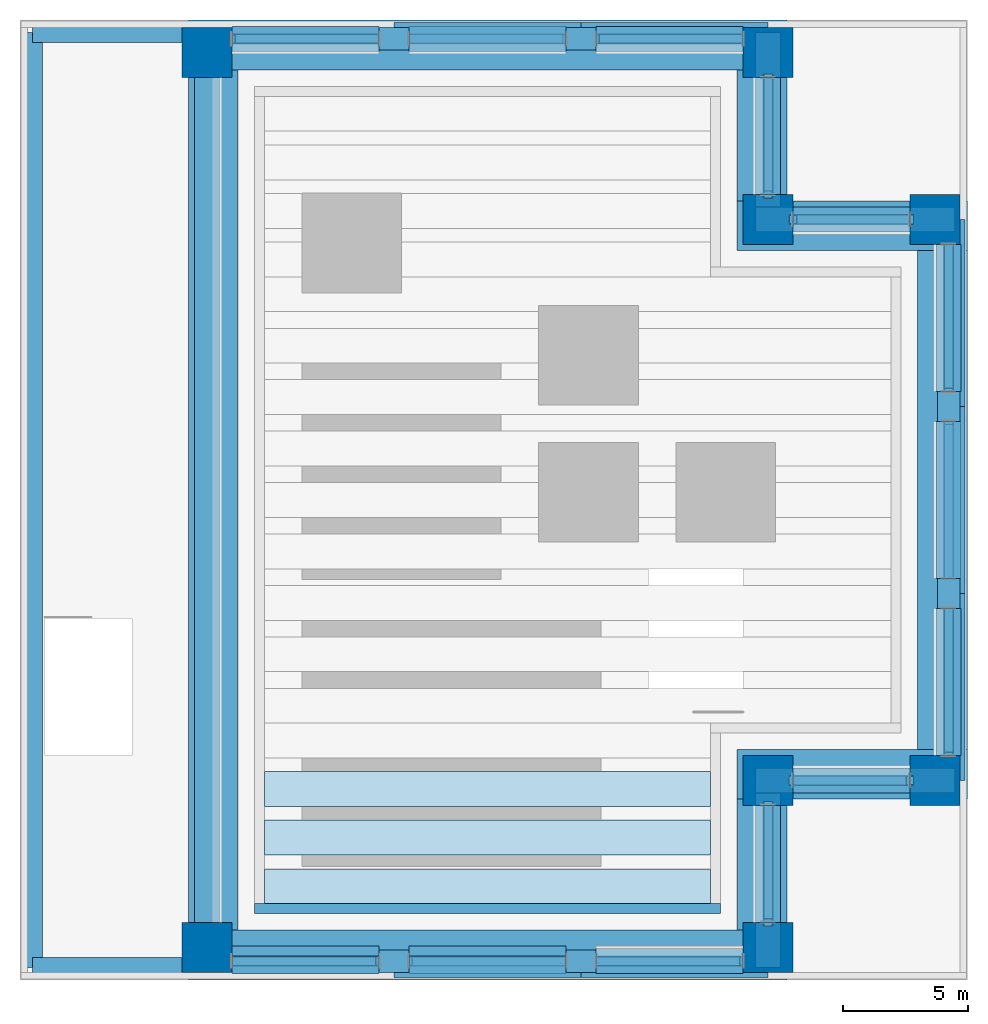
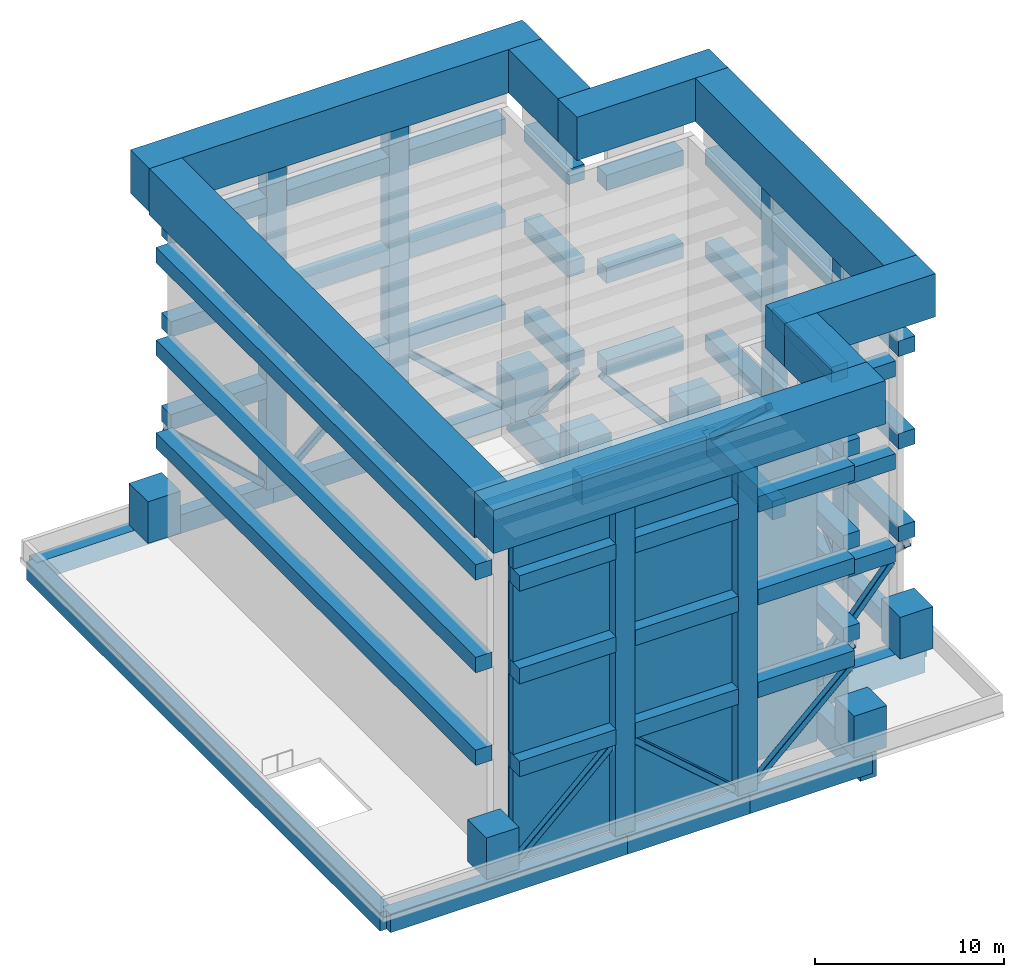
# One storey, part 1 of 4: 64 beams, 19 members, 12 plates, 8 columns.
"""IFC4 building model written with IfcOpenShell, lengths in metres."""

from ifc_helpers import new_model, si_unit, direction, frame, origin, origin_2d, place, context, subcontext, project, spatial, rectangle, hollow_rectangle, extrude, material, layer, layer_set, material_profile, profile_set, type_object, element, save


model = new_model("IFC4")

# Units and contexts
model_context = context("Model", 3, precision=1e-05, world=origin(), true_north=direction((0.0, 1.0)))
body_context = subcontext(model_context, "Body", "Model", "MODEL_VIEW")
ifc_project = project(units=[si_unit("LENGTHUNIT", "METRE"), si_unit("AREAUNIT", "SQUARE_METRE"), si_unit("VOLUMEUNIT", "CUBIC_METRE"), si_unit("PLANEANGLEUNIT", "RADIAN"), si_unit("MASSUNIT", "GRAM", prefix="KILO")], contexts=[model_context])

# Site, building, storey
site_placement = place(None, origin())
site = spatial("IfcSite", under=ifc_project, at=site_placement, CompositionType="ELEMENT")
building_placement = place(site_placement, origin())
building = spatial("IfcBuilding", under=site, at=building_placement, Name="Tamorin Gate", CompositionType="ELEMENT")
storey_placement = place(building_placement, frame((0.0, 0.0, 328.199951171875)))
storey = spatial("IfcBuildingStorey", under=building, at=storey_placement, Name="ROOF", CompositionType="ELEMENT", Elevation=328.199951171875)

# Columns
ifc_material_1 = material(Name="Concrete C50/60", Category="concrete")
ifc_material_profile_1 = material_profile(ifc_material_1, rectangle(XDim=2.0, YDim=2.0, at=origin_2d()), Name="RC 2000x2000")
ifc_profile_set_1 = profile_set([ifc_material_profile_1], Name="Concrete C50/60")
column_type = type_object("IfcColumnType", Name="RC column 2000x2000 C50/60", PredefinedType="COLUMN", material=ifc_profile_set_1)
for number, where, z_axis, x_axis, name in (
    (1, (37.5, 53.31005859375, 0.0), (0.0, 0.0, 1.0), (1.0, 0.0, 0.0), "CROWN FRAME corner pier 1"),
    (2, (60.0, 53.31005859375, 0.0), (0.0, 0.0, 1.0), (1.0, 0.0, 0.0), "CROWN FRAME corner pier 2"),
    (3, (60.0, 60.0, 0.0), (0.0, 0.0, 1.0), (1.0, 0.0, 0.0), "CROWN FRAME corner pier 3"),
    (4, (66.68994140625, 60.0, 0.0), (0.0, 0.0, 1.0), (1.0, 0.0, 0.0), "CROWN FRAME corner pier 4"),
    (5, (66.68994140625, 82.5, 0.0), (0.0, 0.0, 1.0), (1.0, 0.0, 0.0), "CROWN FRAME corner pier 5"),
    (6, (60.0, 82.5, 0.0), (0.0, 0.0, 1.0), (1.0, 0.0, 0.0), "CROWN FRAME corner pier 6"),
    (7, (60.0, 89.18994140625, 0.0), (0.0, 0.0, 1.0), (1.0, 0.0, 0.0), "CROWN FRAME corner pier 7"),
    (8, (37.5, 89.18994140625, 0.0), (0.0, 0.0, 1.0), (1.0, 0.0, 0.0), "CROWN FRAME corner pier 8"),
):
    element("IfcColumn", number, at=place(storey_placement, frame(where, z_axis=z_axis, x_axis=x_axis)), inside=storey, type_object=column_type, Name=name, PredefinedType="COLUMN", context=body_context, shape_type="SweptSolid", body=[
        extrude(rectangle(XDim=2.0, YDim=2.0, at=origin_2d()), origin(), (0.0, 0.0, 1.0), 2.699951171875),
    ])

# Beams
ifc_material_profile_2 = material_profile(ifc_material_1, rectangle(XDim=1.0, YDim=1.0, at=origin_2d()), Name="RC 1000x1000")
ifc_profile_set_2 = profile_set([ifc_material_profile_2], Name="Concrete C50/60")
beam_type_1 = type_object("IfcBeamType", Name="RC crown mid ring beam 1000x1000 C50/60", PredefinedType="BEAM", material=ifc_profile_set_2)
for number, where, z_axis, x_axis, name in (
    (9, (38.5, 52.760009765625, 6.5), (1.0, 0.0, 0.0), (0.0, 1.0, 0.0), "CROWN FRAME mid ring beam"),
    (10, (38.5, 52.760009765625, 12.5), (1.0, 0.0, 0.0), (0.0, 1.0, 0.0), "CROWN FRAME mid ring beam"),
    (11, (38.5, 52.760009765625, 18.5), (1.0, 0.0, 0.0), (0.0, 1.0, 0.0), "CROWN FRAME mid ring beam"),
):
    element("IfcBeam", number, at=place(storey_placement, frame(where, z_axis=z_axis, x_axis=x_axis)), inside=storey, type_object=beam_type_1, Name=name, PredefinedType="BEAM", context=body_context, shape_type="SweptSolid", body=[
        extrude(rectangle(XDim=1.0, YDim=1.0, at=origin_2d()), origin(), (0.0, 0.0, 1.0), 5.89990234375),
    ])
for number, where, z_axis, x_axis, name in (
    (12, (45.60009765625, 52.760009765625, 6.5), (1.0, 0.0, 0.0), (0.0, 1.0, 0.0), "CROWN FRAME mid ring beam"),
    (13, (45.60009765625, 52.760009765625, 12.5), (1.0, 0.0, 0.0), (0.0, 1.0, 0.0), "CROWN FRAME mid ring beam"),
    (14, (45.60009765625, 52.760009765625, 18.5), (1.0, 0.0, 0.0), (0.0, 1.0, 0.0), "CROWN FRAME mid ring beam"),
):
    element("IfcBeam", number, at=place(storey_placement, frame(where, z_axis=z_axis, x_axis=x_axis)), inside=storey, type_object=beam_type_1, Name=name, PredefinedType="BEAM", context=body_context, shape_type="SweptSolid", body=[
        extrude(rectangle(XDim=1.0, YDim=1.0, at=origin_2d()), origin(), (0.0, 0.0, 1.0), 6.2998046875),
    ])
for number, where, z_axis, x_axis, name in (
    (15, (53.10009765625, 52.760009765625, 6.5), (1.0, 0.0, 0.0), (0.0, 1.0, 0.0), "CROWN FRAME mid ring beam"),
    (16, (53.10009765625, 52.760009765625, 12.5), (1.0, 0.0, 0.0), (0.0, 1.0, 0.0), "CROWN FRAME mid ring beam"),
    (17, (53.10009765625, 52.760009765625, 18.5), (1.0, 0.0, 0.0), (0.0, 1.0, 0.0), "CROWN FRAME mid ring beam"),
):
    element("IfcBeam", number, at=place(storey_placement, frame(where, z_axis=z_axis, x_axis=x_axis)), inside=storey, type_object=beam_type_1, Name=name, PredefinedType="BEAM", context=body_context, shape_type="SweptSolid", body=[
        extrude(rectangle(XDim=1.0, YDim=1.0, at=origin_2d()), origin(), (0.0, 0.0, 1.0), 5.89990234375),
    ])
for number, where, z_axis, x_axis, name in (
    (18, (60.0, 54.31005859375, 6.5), (0.0, 1.0, 0.0), (-1.0, 0.0, 0.0), "CROWN FRAME mid ring beam"),
    (19, (60.0, 54.31005859375, 12.5), (0.0, 1.0, 0.0), (-1.0, 0.0, 0.0), "CROWN FRAME mid ring beam"),
    (20, (60.0, 54.31005859375, 18.5), (0.0, 1.0, 0.0), (-1.0, 0.0, 0.0), "CROWN FRAME mid ring beam"),
    (21, (61.0, 60.0, 6.5), (1.0, 0.0, 0.0), (0.0, 1.0, 0.0), "CROWN FRAME mid ring beam"),
    (22, (61.0, 60.0, 12.5), (1.0, 0.0, 0.0), (0.0, 1.0, 0.0), "CROWN FRAME mid ring beam"),
    (23, (61.0, 60.0, 18.5), (1.0, 0.0, 0.0), (0.0, 1.0, 0.0), "CROWN FRAME mid ring beam"),
):
    element("IfcBeam", number, at=place(storey_placement, frame(where, z_axis=z_axis, x_axis=x_axis)), inside=storey, type_object=beam_type_1, Name=name, PredefinedType="BEAM", context=body_context, shape_type="SweptSolid", body=[
        extrude(rectangle(XDim=1.0, YDim=1.0, at=origin_2d()), origin(), (0.0, 0.0, 1.0), 4.68994140625),
    ])
for number, where, z_axis, x_axis, name in (
    (24, (67.239990234375, 61.0, 6.5), (0.0, 1.0, 0.0), (-1.0, 0.0, 0.0), "CROWN FRAME mid ring beam"),
    (25, (67.239990234375, 61.0, 12.5), (0.0, 1.0, 0.0), (-1.0, 0.0, 0.0), "CROWN FRAME mid ring beam"),
    (26, (67.239990234375, 61.0, 18.5), (0.0, 1.0, 0.0), (-1.0, 0.0, 0.0), "CROWN FRAME mid ring beam"),
):
    element("IfcBeam", number, at=place(storey_placement, frame(where, z_axis=z_axis, x_axis=x_axis)), inside=storey, type_object=beam_type_1, Name=name, PredefinedType="BEAM", context=body_context, shape_type="SweptSolid", body=[
        extrude(rectangle(XDim=1.0, YDim=1.0, at=origin_2d()), origin(), (0.0, 0.0, 1.0), 5.89990234375),
    ])
for number, where, z_axis, x_axis, name in (
    (27, (67.239990234375, 68.10009765625, 6.5), (0.0, 1.0, 0.0), (-1.0, 0.0, 0.0), "CROWN FRAME mid ring beam"),
    (28, (67.239990234375, 68.10009765625, 12.5), (0.0, 1.0, 0.0), (-1.0, 0.0, 0.0), "CROWN FRAME mid ring beam"),
    (29, (67.239990234375, 68.10009765625, 18.5), (0.0, 1.0, 0.0), (-1.0, 0.0, 0.0), "CROWN FRAME mid ring beam"),
):
    element("IfcBeam", number, at=place(storey_placement, frame(where, z_axis=z_axis, x_axis=x_axis)), inside=storey, type_object=beam_type_1, Name=name, PredefinedType="BEAM", context=body_context, shape_type="SweptSolid", body=[
        extrude(rectangle(XDim=1.0, YDim=1.0, at=origin_2d()), origin(), (0.0, 0.0, 1.0), 6.2998046875),
    ])
for number, where, z_axis, x_axis, name in (
    (30, (67.239990234375, 75.60009765625, 6.5), (0.0, 1.0, 0.0), (-1.0, 0.0, 0.0), "CROWN FRAME mid ring beam"),
    (31, (67.239990234375, 75.60009765625, 12.5), (0.0, 1.0, 0.0), (-1.0, 0.0, 0.0), "CROWN FRAME mid ring beam"),
    (32, (67.239990234375, 75.60009765625, 18.5), (0.0, 1.0, 0.0), (-1.0, 0.0, 0.0), "CROWN FRAME mid ring beam"),
):
    element("IfcBeam", number, at=place(storey_placement, frame(where, z_axis=z_axis, x_axis=x_axis)), inside=storey, type_object=beam_type_1, Name=name, PredefinedType="BEAM", context=body_context, shape_type="SweptSolid", body=[
        extrude(rectangle(XDim=1.0, YDim=1.0, at=origin_2d()), origin(), (0.0, 0.0, 1.0), 5.89990234375),
    ])
for number, where, z_axis, x_axis, name in (
    (33, (65.68994140625, 82.5, 6.5), (-1.0, 0.0, 0.0), (0.0, -1.0, 0.0), "CROWN FRAME mid ring beam"),
    (34, (65.68994140625, 82.5, 12.5), (-1.0, 0.0, 0.0), (0.0, -1.0, 0.0), "CROWN FRAME mid ring beam"),
    (35, (65.68994140625, 82.5, 18.5), (-1.0, 0.0, 0.0), (0.0, -1.0, 0.0), "CROWN FRAME mid ring beam"),
    (36, (60.0, 83.5, 6.5), (0.0, 1.0, 0.0), (-1.0, 0.0, 0.0), "CROWN FRAME mid ring beam"),
    (37, (60.0, 83.5, 12.5), (0.0, 1.0, 0.0), (-1.0, 0.0, 0.0), "CROWN FRAME mid ring beam"),
    (38, (60.0, 83.5, 18.5), (0.0, 1.0, 0.0), (-1.0, 0.0, 0.0), "CROWN FRAME mid ring beam"),
):
    element("IfcBeam", number, at=place(storey_placement, frame(where, z_axis=z_axis, x_axis=x_axis)), inside=storey, type_object=beam_type_1, Name=name, PredefinedType="BEAM", context=body_context, shape_type="SweptSolid", body=[
        extrude(rectangle(XDim=1.0, YDim=1.0, at=origin_2d()), origin(), (0.0, 0.0, 1.0), 4.68994140625),
    ])
for number, where, z_axis, x_axis, name in (
    (39, (59.0, 89.739990234375, 6.5), (-1.0, 0.0, 0.0), (0.0, -1.0, 0.0), "CROWN FRAME mid ring beam"),
    (40, (59.0, 89.739990234375, 12.5), (-1.0, 0.0, 0.0), (0.0, -1.0, 0.0), "CROWN FRAME mid ring beam"),
    (41, (59.0, 89.739990234375, 18.5), (-1.0, 0.0, 0.0), (0.0, -1.0, 0.0), "CROWN FRAME mid ring beam"),
):
    element("IfcBeam", number, at=place(storey_placement, frame(where, z_axis=z_axis, x_axis=x_axis)), inside=storey, type_object=beam_type_1, Name=name, PredefinedType="BEAM", context=body_context, shape_type="SweptSolid", body=[
        extrude(rectangle(XDim=1.0, YDim=1.0, at=origin_2d()), origin(), (0.0, 0.0, 1.0), 5.89990234375),
    ])
for number, where, z_axis, x_axis, name in (
    (42, (51.89990234375, 89.739990234375, 6.5), (-1.0, 0.0, 0.0), (0.0, -1.0, 0.0), "CROWN FRAME mid ring beam"),
    (43, (51.89990234375, 89.739990234375, 12.5), (-1.0, 0.0, 0.0), (0.0, -1.0, 0.0), "CROWN FRAME mid ring beam"),
    (44, (51.89990234375, 89.739990234375, 18.5), (-1.0, 0.0, 0.0), (0.0, -1.0, 0.0), "CROWN FRAME mid ring beam"),
):
    element("IfcBeam", number, at=place(storey_placement, frame(where, z_axis=z_axis, x_axis=x_axis)), inside=storey, type_object=beam_type_1, Name=name, PredefinedType="BEAM", context=body_context, shape_type="SweptSolid", body=[
        extrude(rectangle(XDim=1.0, YDim=1.0, at=origin_2d()), origin(), (0.0, 0.0, 1.0), 6.2998046875),
    ])
for number, where, z_axis, x_axis, name in (
    (45, (44.39990234375, 89.739990234375, 6.5), (-1.0, 0.0, 0.0), (0.0, -1.0, 0.0), "CROWN FRAME mid ring beam"),
    (46, (44.39990234375, 89.739990234375, 12.5), (-1.0, 0.0, 0.0), (0.0, -1.0, 0.0), "CROWN FRAME mid ring beam"),
    (47, (44.39990234375, 89.739990234375, 18.5), (-1.0, 0.0, 0.0), (0.0, -1.0, 0.0), "CROWN FRAME mid ring beam"),
):
    element("IfcBeam", number, at=place(storey_placement, frame(where, z_axis=z_axis, x_axis=x_axis)), inside=storey, type_object=beam_type_1, Name=name, PredefinedType="BEAM", context=body_context, shape_type="SweptSolid", body=[
        extrude(rectangle(XDim=1.0, YDim=1.0, at=origin_2d()), origin(), (0.0, 0.0, 1.0), 5.89990234375),
    ])
for number, where, z_axis, x_axis, name in (
    (48, (37.5, 88.18994140625, 6.5), (0.0, -1.0, 0.0), (1.0, 0.0, 0.0), "CROWN FRAME mid ring beam"),
    (49, (37.5, 88.18994140625, 12.5), (0.0, -1.0, 0.0), (1.0, 0.0, 0.0), "CROWN FRAME mid ring beam"),
    (50, (37.5, 88.18994140625, 18.5), (0.0, -1.0, 0.0), (1.0, 0.0, 0.0), "CROWN FRAME mid ring beam"),
):
    element("IfcBeam", number, at=place(storey_placement, frame(where, z_axis=z_axis, x_axis=x_axis)), inside=storey, type_object=beam_type_1, Name=name, PredefinedType="BEAM", context=body_context, shape_type="SweptSolid", body=[
        extrude(rectangle(XDim=1.0, YDim=1.0, at=origin_2d()), origin(), (0.0, 0.0, 1.0), 33.8798828125),
    ])

# Members
ifc_material_profile_3 = material_profile(ifc_material_1, rectangle(XDim=1.199951171875, YDim=0.89990234375, at=origin_2d()), Name="RC 1200x900")
ifc_profile_set_3 = profile_set([ifc_material_profile_3], Name="Concrete C50/60")
member_type_1 = type_object("IfcMemberType", Name="RC crown pier 1200x900 C50/60", PredefinedType="POST", material=ifc_profile_set_3)
for number, where, z_axis, x_axis, name in (
    (51, (45.0, 52.760009765625, 0.0), (0.0, 0.0, 1.0), (1.0, 0.0, 0.0), "CROWN FRAME pier 9"),
    (52, (52.5, 52.760009765625, 0.0), (0.0, 0.0, 1.0), (1.0, 0.0, 0.0), "CROWN FRAME pier 10"),
    (53, (67.239990234375, 67.5, 0.0), (0.0, 0.0, 1.0), (0.0, 1.0, 0.0), "CROWN FRAME pier 11"),
    (54, (67.239990234375, 75.0, 0.0), (0.0, 0.0, 1.0), (0.0, 1.0, 0.0), "CROWN FRAME pier 12"),
    (55, (45.0, 89.739990234375, 0.0), (0.0, 0.0, 1.0), (1.0, 0.0, 0.0), "CROWN FRAME pier 13"),
    (56, (52.5, 89.739990234375, 0.0), (0.0, 0.0, 1.0), (1.0, 0.0, 0.0), "CROWN FRAME pier 14"),
):
    element("IfcMember", number, at=place(storey_placement, frame(where, z_axis=z_axis, x_axis=x_axis)), inside=storey, type_object=member_type_1, Name=name, PredefinedType="POST", context=body_context, shape_type="SweptSolid", body=[
        extrude(rectangle(XDim=1.199951171875, YDim=0.89990234375, at=origin_2d()), origin(), (0.0, 0.0, 1.0), 21.199951171875),
    ])

# Beams
ifc_material_profile_4 = material_profile(ifc_material_1, rectangle(XDim=0.800048828125, YDim=1.199951171875, at=origin_2d()), Name="RC 800x1200")
ifc_profile_set_4 = profile_set([ifc_material_profile_4], Name="Concrete C50/60")
beam_type_2 = type_object("IfcBeamType", Name="RC crown ring beam 800x1200 C50/60", PredefinedType="BEAM", material=ifc_profile_set_4)
beam_1_placement = place(storey_placement, frame((30.5, 52.5, -0.599853515625), z_axis=(1.0, 0.0, 0.0), x_axis=(0.0, 1.0, 0.0)))
element("IfcBeam", 57, at=beam_1_placement, inside=storey, type_object=beam_type_2, Name="Roof edge ring beam", PredefinedType="BEAM", context=body_context, shape_type="SweptSolid", body=[
    extrude(rectangle(XDim=0.800048828125, YDim=1.199951171875, at=origin_2d()), origin(), (0.0, 0.0, 1.0), 14.5),
])
for number, where, z_axis, x_axis, name in (
    (58, (45.0, 52.5, -0.599853515625), (1.0, 0.0, 0.0), (0.0, 1.0, 0.0), "Roof edge ring beam"),
    (59, (52.5, 52.5, -0.599853515625), (1.0, 0.0, 0.0), (0.0, 1.0, 0.0), "Roof edge ring beam"),
    (60, (67.5, 60.0, -0.599853515625), (0.0, 1.0, 0.0), (-1.0, 0.0, 0.0), "Roof edge ring beam"),
    (61, (67.5, 67.5, -0.599853515625), (0.0, 1.0, 0.0), (-1.0, 0.0, 0.0), "Roof edge ring beam"),
    (62, (67.5, 75.0, -0.599853515625), (0.0, 1.0, 0.0), (-1.0, 0.0, 0.0), "Roof edge ring beam"),
    (63, (60.0, 90.0, -0.599853515625), (-1.0, 0.0, 0.0), (0.0, -1.0, 0.0), "Roof edge ring beam"),
    (64, (52.5, 90.0, -0.599853515625), (-1.0, 0.0, 0.0), (0.0, -1.0, 0.0), "Roof edge ring beam"),
):
    element("IfcBeam", number, at=place(storey_placement, frame(where, z_axis=z_axis, x_axis=x_axis)), inside=storey, type_object=beam_type_2, Name=name, PredefinedType="BEAM", context=body_context, shape_type="SweptSolid", body=[
        extrude(rectangle(XDim=0.800048828125, YDim=1.199951171875, at=origin_2d()), origin(), (0.0, 0.0, 1.0), 7.5),
    ])
beam_2_placement = place(storey_placement, frame((45.0, 90.0, -0.599853515625), z_axis=(-1.0, 0.0, 0.0), x_axis=(0.0, -1.0, 0.0)))
element("IfcBeam", 65, at=beam_2_placement, inside=storey, type_object=beam_type_2, Name="Roof edge ring beam", PredefinedType="BEAM", context=body_context, shape_type="SweptSolid", body=[
    extrude(rectangle(XDim=0.800048828125, YDim=1.199951171875, at=origin_2d()), origin(), (0.0, 0.0, 1.0), 14.5),
])
beam_3_placement = place(storey_placement, frame((30.5, 90.0, -0.599853515625), z_axis=(0.0, -1.0, 0.0), x_axis=(1.0, 0.0, 0.0)))
element("IfcBeam", 66, at=beam_3_placement, inside=storey, type_object=beam_type_2, Name="Roof edge ring beam", PredefinedType="BEAM", context=body_context, shape_type="SweptSolid", body=[
    extrude(rectangle(XDim=0.800048828125, YDim=1.199951171875, at=origin_2d()), origin(), (0.0, 0.0, 1.0), 37.5),
])
ifc_material_profile_5 = material_profile(ifc_material_1, rectangle(XDim=2.0, YDim=2.800048828125, at=origin_2d()), Name="RC 2000x2800")
ifc_profile_set_5 = profile_set([ifc_material_profile_5], Name="Concrete C50/60")
beam_type_3 = type_object("IfcBeamType", Name="RC crown top ring beam 2000x2800 C50/60", PredefinedType="BEAM", material=ifc_profile_set_5)
beam_4_placement = place(storey_placement, frame((36.75, 53.010009765625, 22.60009765625), z_axis=(1.0, 0.0, 0.0), x_axis=(0.0, 1.0, 0.0)))
element("IfcBeam", 67, at=beam_4_placement, inside=storey, type_object=beam_type_3, Name="CROWN FRAME top ring beam", PredefinedType="BEAM", context=body_context, shape_type="SweptSolid", body=[
    extrude(rectangle(XDim=2.0, YDim=2.800048828125, at=origin_2d()), origin(), (0.0, 0.0, 1.0), 24.0),
])
beam_5_placement = place(storey_placement, frame((59.75, 54.010009765625, 22.60009765625), z_axis=(0.0, 1.0, 0.0), x_axis=(-1.0, 0.0, 0.0)))
element("IfcBeam", 68, at=beam_5_placement, inside=storey, type_object=beam_type_3, Name="CROWN FRAME top ring beam", PredefinedType="BEAM", context=body_context, shape_type="SweptSolid", body=[
    extrude(rectangle(XDim=2.0, YDim=2.800048828125, at=origin_2d()), origin(), (0.0, 0.0, 1.0), 5.239990234375),
])
beam_6_placement = place(storey_placement, frame((58.75, 60.25, 22.60009765625), z_axis=(1.0, 0.0, 0.0), x_axis=(0.0, 1.0, 0.0)))
element("IfcBeam", 69, at=beam_6_placement, inside=storey, type_object=beam_type_3, Name="CROWN FRAME top ring beam", PredefinedType="BEAM", context=body_context, shape_type="SweptSolid", body=[
    extrude(rectangle(XDim=2.0, YDim=2.800048828125, at=origin_2d()), origin(), (0.0, 0.0, 1.0), 9.239990234375),
])
beam_7_placement = place(storey_placement, frame((66.989990234375, 61.25, 22.60009765625), z_axis=(0.0, 1.0, 0.0), x_axis=(-1.0, 0.0, 0.0)))
element("IfcBeam", 70, at=beam_7_placement, inside=storey, type_object=beam_type_3, Name="CROWN FRAME top ring beam", PredefinedType="BEAM", context=body_context, shape_type="SweptSolid", body=[
    extrude(rectangle(XDim=2.0, YDim=2.800048828125, at=origin_2d()), origin(), (0.0, 0.0, 1.0), 20.0),
])
beam_8_placement = place(storey_placement, frame((67.989990234375, 82.25, 22.60009765625), z_axis=(-1.0, 0.0, 0.0), x_axis=(0.0, -1.0, 0.0)))
element("IfcBeam", 71, at=beam_8_placement, inside=storey, type_object=beam_type_3, Name="CROWN FRAME top ring beam", PredefinedType="BEAM", context=body_context, shape_type="SweptSolid", body=[
    extrude(rectangle(XDim=2.0, YDim=2.800048828125, at=origin_2d()), origin(), (0.0, 0.0, 1.0), 9.239990234375),
])
beam_9_placement = place(storey_placement, frame((59.75, 83.25, 22.60009765625), z_axis=(0.0, 1.0, 0.0), x_axis=(-1.0, 0.0, 0.0)))
element("IfcBeam", 72, at=beam_9_placement, inside=storey, type_object=beam_type_3, Name="CROWN FRAME top ring beam", PredefinedType="BEAM", context=body_context, shape_type="SweptSolid", body=[
    extrude(rectangle(XDim=2.0, YDim=2.800048828125, at=origin_2d()), origin(), (0.0, 0.0, 1.0), 5.239990234375),
])
beam_10_placement = place(storey_placement, frame((60.75, 89.489990234375, 22.60009765625), z_axis=(-1.0, 0.0, 0.0), x_axis=(0.0, -1.0, 0.0)))
element("IfcBeam", 73, at=beam_10_placement, inside=storey, type_object=beam_type_3, Name="CROWN FRAME top ring beam", PredefinedType="BEAM", context=body_context, shape_type="SweptSolid", body=[
    extrude(rectangle(XDim=2.0, YDim=2.800048828125, at=origin_2d()), origin(), (0.0, 0.0, 1.0), 24.0),
])
ifc_material_profile_6 = material_profile(ifc_material_1, rectangle(XDim=1.0, YDim=1.800048828125, at=origin_2d()), Name="RC 1000x1800")
ifc_profile_set_6 = profile_set([ifc_material_profile_6], Name="Concrete C50/60")
beam_type_4 = type_object("IfcBeamType", Name="RC crown transfer beam 1000x1800 C50/60", PredefinedType="BEAM", material=ifc_profile_set_6)
beam_11_placement = place(storey_placement, frame((60.0, 52.5, -0.89990234375), z_axis=(0.0, 1.0, 0.0), x_axis=(-1.0, 0.0, 0.0)))
element("IfcBeam", 74, at=beam_11_placement, inside=storey, type_object=beam_type_4, Name="Crown transfer beam", PredefinedType="BEAM", context=body_context, shape_type="SweptSolid", body=[
    extrude(rectangle(XDim=1.0, YDim=1.800048828125, at=origin_2d()), origin(), (0.0, 0.0, 1.0), 7.0),
])
beam_12_placement = place(storey_placement, frame((59.5, 60.0, -0.89990234375), z_axis=(1.0, 0.0, 0.0), x_axis=(0.0, 1.0, 0.0)))
element("IfcBeam", 75, at=beam_12_placement, inside=storey, type_object=beam_type_4, Name="Crown transfer beam", PredefinedType="BEAM", context=body_context, shape_type="SweptSolid", body=[
    extrude(rectangle(XDim=1.0, YDim=1.800048828125, at=origin_2d()), origin(), (0.0, 0.0, 1.0), 8.0),
])
beam_13_placement = place(storey_placement, frame((60.0, 90.0, -0.89990234375), z_axis=(0.0, -1.0, 0.0), x_axis=(1.0, 0.0, 0.0)))
element("IfcBeam", 76, at=beam_13_placement, inside=storey, type_object=beam_type_4, Name="Crown transfer beam", PredefinedType="BEAM", context=body_context, shape_type="SweptSolid", body=[
    extrude(rectangle(XDim=1.0, YDim=1.800048828125, at=origin_2d()), origin(), (0.0, 0.0, 1.0), 7.0),
])
beam_14_placement = place(storey_placement, frame((59.5, 82.5, -0.89990234375), z_axis=(1.0, 0.0, 0.0), x_axis=(0.0, 1.0, 0.0)))
element("IfcBeam", 77, at=beam_14_placement, inside=storey, type_object=beam_type_4, Name="Crown transfer beam", PredefinedType="BEAM", context=body_context, shape_type="SweptSolid", body=[
    extrude(rectangle(XDim=1.0, YDim=1.800048828125, at=origin_2d()), origin(), (0.0, 0.0, 1.0), 8.0),
])
ifc_material_profile_7 = material_profile(ifc_material_1, rectangle(XDim=2.0, YDim=3.0, at=origin_2d()), Name="RC 2000x3000")
ifc_profile_set_7 = profile_set([ifc_material_profile_7], Name="Concrete C50/60")
beam_type_5 = type_object("IfcBeamType", Name="RC crown west top ring beam 2000x3000 C50/60", PredefinedType="BEAM", material=ifc_profile_set_7)
beam_15_placement = place(storey_placement, frame((37.75, 88.489990234375, 22.5), z_axis=(0.0, -1.0, 0.0), x_axis=(1.0, 0.0, 0.0)))
element("IfcBeam", 78, at=beam_15_placement, inside=storey, type_object=beam_type_5, Name="CROWN FRAME top ring beam", PredefinedType="BEAM", context=body_context, shape_type="SweptSolid", body=[
    extrude(rectangle(XDim=2.0, YDim=3.0, at=origin_2d()), origin(), (0.0, 0.0, 1.0), 34.47998046875),
])

# Members
ifc_material_2 = material(Name="Steel S355J2H", Category="steel")
ifc_material_profile_8 = material_profile(ifc_material_2, hollow_rectangle(XDim=0.39990234375, YDim=0.39990234375, WallThickness=0.02001953125, InnerFilletRadius=0.030029296875, OuterFilletRadius=0.050048828125, at=origin_2d()), Name="RHS 400x400x20")
ifc_profile_set_8 = profile_set([ifc_material_profile_8], Name="Steel S355J2H")
member_type_2 = type_object("IfcMemberType", Name="Steel crown brace RHS 400x400x20", PredefinedType="BRACE", material=ifc_profile_set_8)
member_1_placement = place(storey_placement, frame((38.5, 52.760009765625, 0.25), z_axis=(0.73146178223, 0.0, 0.681882439381), x_axis=(0.0, 1.0, 0.0)))
element("IfcMember", 79, at=member_1_placement, inside=storey, type_object=member_type_2, Name="CROWN FRAME brace", PredefinedType="BRACE", context=body_context, shape_type="SweptSolid", body=[
    extrude(hollow_rectangle(XDim=0.39990234375, YDim=0.39990234375, WallThickness=0.02001953125, InnerFilletRadius=0.030029296875, OuterFilletRadius=0.050048828125, at=origin_2d()), origin(), (0.0, 0.0, 1.0), 8.06591796875),
])
member_2_placement = place(storey_placement, frame((51.89990234375, 52.760009765625, 0.25), z_axis=(-0.753306841884, 0.0, 0.657669219267), x_axis=(0.0, -1.0, 0.0)))
element("IfcMember", 80, at=member_2_placement, inside=storey, type_object=member_type_2, Name="CROWN FRAME brace", PredefinedType="BRACE", context=body_context, shape_type="SweptSolid", body=[
    extrude(hollow_rectangle(XDim=0.39990234375, YDim=0.39990234375, WallThickness=0.02001953125, InnerFilletRadius=0.030029296875, OuterFilletRadius=0.050048828125, at=origin_2d()), origin(), (0.0, 0.0, 1.0), 8.36279296875),
])
member_3_placement = place(storey_placement, frame((53.10009765625, 52.760009765625, 0.25), z_axis=(0.73146178223, 0.0, 0.681882439381), x_axis=(0.0, 1.0, 0.0)))
element("IfcMember", 81, at=member_3_placement, inside=storey, type_object=member_type_2, Name="CROWN FRAME brace", PredefinedType="BRACE", context=body_context, shape_type="SweptSolid", body=[
    extrude(hollow_rectangle(XDim=0.39990234375, YDim=0.39990234375, WallThickness=0.02001953125, InnerFilletRadius=0.030029296875, OuterFilletRadius=0.050048828125, at=origin_2d()), origin(), (0.0, 0.0, 1.0), 8.06591796875),
])
for number, where, z_axis, x_axis, name in (
    (82, (60.0, 59.0, 0.25), (0.0, -0.648847689575, 0.760918310815), (1.0, 0.0, 0.0), "CROWN FRAME brace"),
    (83, (61.0, 60.0, 0.25), (0.648847689575, 0.0, 0.760918310815), (0.0, 1.0, 0.0), "CROWN FRAME brace"),
):
    element("IfcMember", number, at=place(storey_placement, frame(where, z_axis=z_axis, x_axis=x_axis)), inside=storey, type_object=member_type_2, Name=name, PredefinedType="BRACE", context=body_context, shape_type="SweptSolid", body=[
        extrude(hollow_rectangle(XDim=0.39990234375, YDim=0.39990234375, WallThickness=0.02001953125, InnerFilletRadius=0.030029296875, OuterFilletRadius=0.050048828125, at=origin_2d()), origin(), (0.0, 0.0, 1.0), 7.22802734375),
    ])
member_4_placement = place(storey_placement, frame((67.239990234375, 66.89990234375, 0.25), z_axis=(0.0, -0.73146178223, 0.681882439381), x_axis=(1.0, 0.0, 0.0)))
element("IfcMember", 84, at=member_4_placement, inside=storey, type_object=member_type_2, Name="CROWN FRAME brace", PredefinedType="BRACE", context=body_context, shape_type="SweptSolid", body=[
    extrude(hollow_rectangle(XDim=0.39990234375, YDim=0.39990234375, WallThickness=0.02001953125, InnerFilletRadius=0.030029296875, OuterFilletRadius=0.050048828125, at=origin_2d()), origin(), (0.0, 0.0, 1.0), 8.06591796875),
])
member_5_placement = place(storey_placement, frame((67.239990234375, 68.10009765625, 0.25), z_axis=(0.0, 0.753306841884, 0.657669219267), x_axis=(-1.0, 0.0, 0.0)))
element("IfcMember", 85, at=member_5_placement, inside=storey, type_object=member_type_2, Name="CROWN FRAME brace", PredefinedType="BRACE", context=body_context, shape_type="SweptSolid", body=[
    extrude(hollow_rectangle(XDim=0.39990234375, YDim=0.39990234375, WallThickness=0.02001953125, InnerFilletRadius=0.030029296875, OuterFilletRadius=0.050048828125, at=origin_2d()), origin(), (0.0, 0.0, 1.0), 8.36279296875),
])
member_6_placement = place(storey_placement, frame((67.239990234375, 81.5, 0.25), z_axis=(0.0, -0.73146178223, 0.681882439381), x_axis=(1.0, 0.0, 0.0)))
element("IfcMember", 86, at=member_6_placement, inside=storey, type_object=member_type_2, Name="CROWN FRAME brace", PredefinedType="BRACE", context=body_context, shape_type="SweptSolid", body=[
    extrude(hollow_rectangle(XDim=0.39990234375, YDim=0.39990234375, WallThickness=0.02001953125, InnerFilletRadius=0.030029296875, OuterFilletRadius=0.050048828125, at=origin_2d()), origin(), (0.0, 0.0, 1.0), 8.06591796875),
])
for number, where, z_axis, x_axis, name in (
    (87, (65.68994140625, 82.5, 0.25), (-0.648847689575, 0.0, 0.760918310815), (0.0, -1.0, 0.0), "CROWN FRAME brace"),
    (88, (60.0, 88.18994140625, 0.25), (0.0, -0.648847689575, 0.760918310815), (1.0, 0.0, 0.0), "CROWN FRAME brace"),
):
    element("IfcMember", number, at=place(storey_placement, frame(where, z_axis=z_axis, x_axis=x_axis)), inside=storey, type_object=member_type_2, Name=name, PredefinedType="BRACE", context=body_context, shape_type="SweptSolid", body=[
        extrude(hollow_rectangle(XDim=0.39990234375, YDim=0.39990234375, WallThickness=0.02001953125, InnerFilletRadius=0.030029296875, OuterFilletRadius=0.050048828125, at=origin_2d()), origin(), (0.0, 0.0, 1.0), 7.22802734375),
    ])
member_7_placement = place(storey_placement, frame((59.0, 89.739990234375, 0.25), z_axis=(-0.73146178223, 0.0, 0.681882439381), x_axis=(0.0, -1.0, 0.0)))
element("IfcMember", 89, at=member_7_placement, inside=storey, type_object=member_type_2, Name="CROWN FRAME brace", PredefinedType="BRACE", context=body_context, shape_type="SweptSolid", body=[
    extrude(hollow_rectangle(XDim=0.39990234375, YDim=0.39990234375, WallThickness=0.02001953125, InnerFilletRadius=0.030029296875, OuterFilletRadius=0.050048828125, at=origin_2d()), origin(), (0.0, 0.0, 1.0), 8.06591796875),
])
member_8_placement = place(storey_placement, frame((45.60009765625, 89.739990234375, 0.25), z_axis=(0.753306841884, 0.0, 0.657669219267), x_axis=(0.0, 1.0, 0.0)))
element("IfcMember", 90, at=member_8_placement, inside=storey, type_object=member_type_2, Name="CROWN FRAME brace", PredefinedType="BRACE", context=body_context, shape_type="SweptSolid", body=[
    extrude(hollow_rectangle(XDim=0.39990234375, YDim=0.39990234375, WallThickness=0.02001953125, InnerFilletRadius=0.030029296875, OuterFilletRadius=0.050048828125, at=origin_2d()), origin(), (0.0, 0.0, 1.0), 8.36279296875),
])
member_9_placement = place(storey_placement, frame((44.39990234375, 89.739990234375, 0.25), z_axis=(-0.73146178223, 0.0, 0.681882439381), x_axis=(0.0, -1.0, 0.0)))
element("IfcMember", 91, at=member_9_placement, inside=storey, type_object=member_type_2, Name="CROWN FRAME brace", PredefinedType="BRACE", context=body_context, shape_type="SweptSolid", body=[
    extrude(hollow_rectangle(XDim=0.39990234375, YDim=0.39990234375, WallThickness=0.02001953125, InnerFilletRadius=0.030029296875, OuterFilletRadius=0.050048828125, at=origin_2d()), origin(), (0.0, 0.0, 1.0), 8.06591796875),
])

# Plates
ifc_material_3 = material(Name="Perforated pale aluminium sheet", Category="aluminium")
ifc_layer_1 = layer(ifc_material_3, 0.1201171875)
ifc_layer_set_1 = layer_set([ifc_layer_1], Name="Crown grille 120")
plate_type_1 = type_object("IfcPlateType", Name="Crown grille 120", PredefinedType="SHEET", material=ifc_layer_set_1)
for number, where, z_axis, x_axis, name in (
    (92, (48.75, 55.760009765625, 19.139892578125), (0.0, 0.0, 1.0), (1.0, 0.0, 0.0), "CROWN GRILLE"),
    (93, (48.75, 57.706787109375, 19.139892578125), (0.0, 0.0, 1.0), (1.0, 0.0, 0.0), "CROWN GRILLE"),
    (94, (48.75, 59.6533203125, 19.139892578125), (0.0, 0.0, 1.0), (1.0, 0.0, 0.0), "CROWN GRILLE"),
):
    element("IfcPlate", number, at=place(storey_placement, frame(where, z_axis=z_axis, x_axis=x_axis)), inside=storey, type_object=plate_type_1, Name=name, PredefinedType="SHEET", context=body_context, shape_type="SweptSolid", body=[
        extrude(rectangle(XDim=17.89990234375, YDim=1.39990234375, at=origin_2d()), origin(), (0.0, 0.0, 1.0), 0.1201171875),
    ])
ifc_layer_2 = layer(ifc_material_3, 0.39990234375)
ifc_layer_set_2 = layer_set([ifc_layer_2], Name="Crown louvre 400")
plate_type_2 = type_object("IfcPlateType", Name="Crown louvre 400", PredefinedType="SHEET", material=ifc_layer_set_2)
plate_1_placement = place(storey_placement, frame((41.449951171875, 53.159912109375, 0.0), z_axis=(0.0, 0.0, 1.0), x_axis=(1.0, 0.0, 0.0)))
element("IfcPlate", 95, at=plate_1_placement, inside=storey, type_object=plate_type_2, Name="Crown LOUVRE", PredefinedType="SHEET", context=body_context, shape_type="SweptSolid", body=[
    extrude(rectangle(XDim=5.89990234375, YDim=0.39990234375, at=origin_2d()), origin(), (0.0, 0.0, 1.0), 6.0),
])
for number, where, z_axis, x_axis, name in (
    (96, (41.449951171875, 53.159912109375, 7.0), (0.0, 0.0, 1.0), (1.0, 0.0, 0.0), "Crown LOUVRE"),
    (97, (41.449951171875, 53.159912109375, 13.0), (0.0, 0.0, 1.0), (1.0, 0.0, 0.0), "Crown LOUVRE"),
):
    element("IfcPlate", number, at=place(storey_placement, frame(where, z_axis=z_axis, x_axis=x_axis)), inside=storey, type_object=plate_type_2, Name=name, PredefinedType="SHEET", context=body_context, shape_type="SweptSolid", body=[
        extrude(rectangle(XDim=5.89990234375, YDim=0.39990234375, at=origin_2d()), origin(), (0.0, 0.0, 1.0), 5.0),
    ])
plate_2_placement = place(storey_placement, frame((41.449951171875, 53.159912109375, 19.0), z_axis=(0.0, 0.0, 1.0), x_axis=(1.0, 0.0, 0.0)))
element("IfcPlate", 98, at=plate_2_placement, inside=storey, type_object=plate_type_2, Name="Crown LOUVRE", PredefinedType="SHEET", context=body_context, shape_type="SweptSolid", body=[
    extrude(rectangle(XDim=5.89990234375, YDim=0.39990234375, at=origin_2d()), origin(), (0.0, 0.0, 1.0), 2.199951171875),
])
plate_3_placement = place(storey_placement, frame((48.75, 53.159912109375, 0.0), z_axis=(0.0, 0.0, 1.0), x_axis=(1.0, 0.0, 0.0)))
element("IfcPlate", 99, at=plate_3_placement, inside=storey, type_object=plate_type_2, Name="Crown LOUVRE", PredefinedType="SHEET", context=body_context, shape_type="SweptSolid", body=[
    extrude(rectangle(XDim=6.300048828125, YDim=0.39990234375, at=origin_2d()), origin(), (0.0, 0.0, 1.0), 6.0),
])
for number, where, z_axis, x_axis, name in (
    (100, (48.75, 53.159912109375, 7.0), (0.0, 0.0, 1.0), (1.0, 0.0, 0.0), "Crown LOUVRE"),
    (101, (48.75, 53.159912109375, 13.0), (0.0, 0.0, 1.0), (1.0, 0.0, 0.0), "Crown LOUVRE"),
):
    element("IfcPlate", number, at=place(storey_placement, frame(where, z_axis=z_axis, x_axis=x_axis)), inside=storey, type_object=plate_type_2, Name=name, PredefinedType="SHEET", context=body_context, shape_type="SweptSolid", body=[
        extrude(rectangle(XDim=6.300048828125, YDim=0.39990234375, at=origin_2d()), origin(), (0.0, 0.0, 1.0), 5.0),
    ])
plate_4_placement = place(storey_placement, frame((48.75, 53.159912109375, 19.0), z_axis=(0.0, 0.0, 1.0), x_axis=(1.0, 0.0, 0.0)))
element("IfcPlate", 102, at=plate_4_placement, inside=storey, type_object=plate_type_2, Name="Crown LOUVRE", PredefinedType="SHEET", context=body_context, shape_type="SweptSolid", body=[
    extrude(rectangle(XDim=6.300048828125, YDim=0.39990234375, at=origin_2d()), origin(), (0.0, 0.0, 1.0), 2.199951171875),
])
plate_5_placement = place(storey_placement, frame((48.75, 54.860107421875, 0.0), z_axis=(0.0, 0.0, 1.0), x_axis=(1.0, 0.0, 0.0)))
element("IfcPlate", 103, at=plate_5_placement, inside=storey, type_object=plate_type_2, Name="Crown LOUVRE", PredefinedType="SHEET", context=body_context, shape_type="SweptSolid", body=[
    extrude(rectangle(XDim=18.699951171875, YDim=0.39990234375, at=origin_2d()), origin(), (0.0, 0.0, 1.0), 21.199951171875),
])

save(model, "model.ifc")
